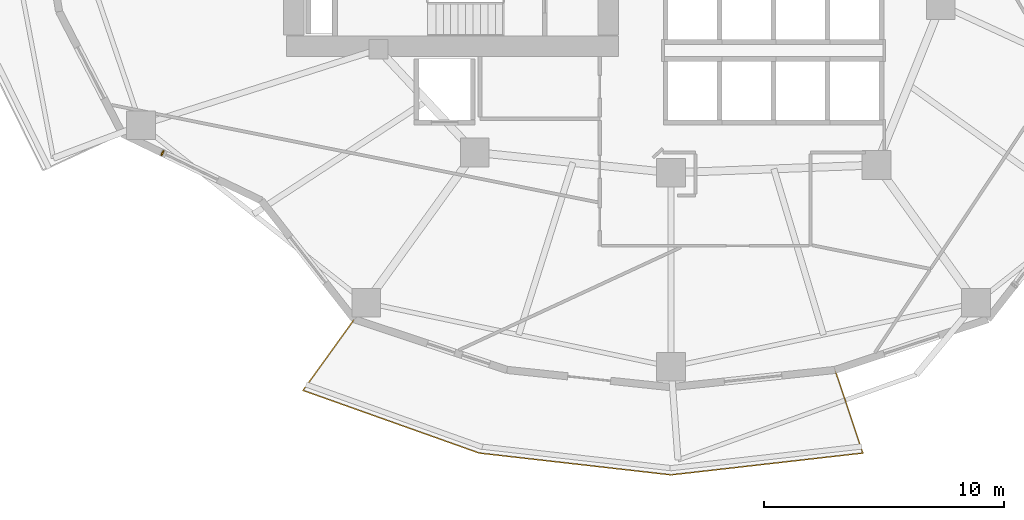
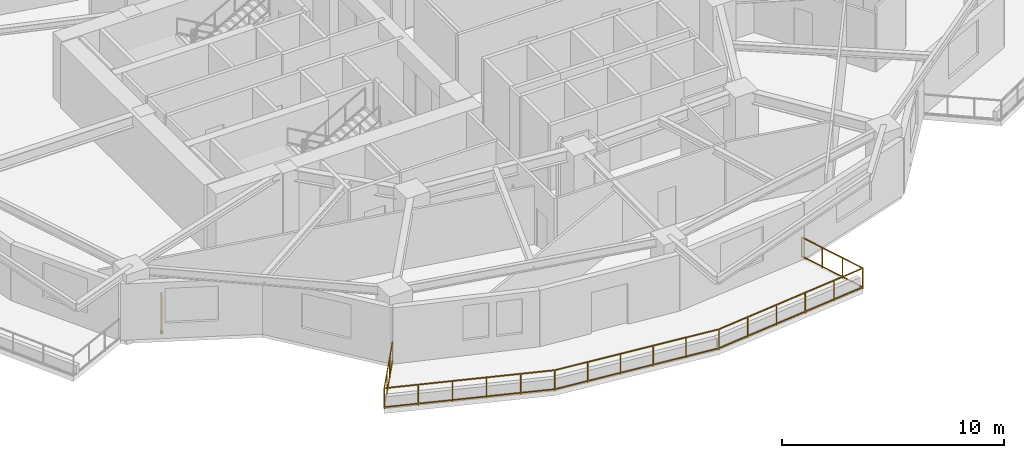
# One storey, part 10 of 14: 1 railing, 1 shading device.
"""IFC4 building model written with IfcOpenShell, lengths in metres."""

from ifc_helpers import new_model, si_unit, direction, frame, origin, origin_2d, place, context, subcontext, project, spatial, rectangle, extrude, material, type_object, element, save


model = new_model("IFC4")

# Units and contexts
model_context = context("Model", 3, precision=1e-05, world=origin(), true_north=direction((0.0, 1.0)))
body_context = subcontext(model_context, "Body", "Model", "MODEL_VIEW")
ifc_project = project(units=[si_unit("LENGTHUNIT", "METRE"), si_unit("AREAUNIT", "SQUARE_METRE"), si_unit("VOLUMEUNIT", "CUBIC_METRE"), si_unit("PLANEANGLEUNIT", "RADIAN"), si_unit("MASSUNIT", "GRAM", prefix="KILO")], contexts=[model_context])

# Site, building, storey
site_placement = place(None, origin())
site = spatial("IfcSite", under=ifc_project, at=site_placement, CompositionType="ELEMENT")
building_placement = place(site_placement, origin())
building = spatial("IfcBuilding", under=site, at=building_placement, Name="Kolvaren Gate Tower and Convention Centre", CompositionType="ELEMENT")
storey_placement = place(building_placement, frame((0.0, 0.0, 57.300048828125)))
storey = spatial("IfcBuildingStorey", under=building, at=storey_placement, Name="L13", CompositionType="ELEMENT", Elevation=57.300048828125)

# Railing
ifc_material_1 = material(Name="Brushed Stainless Steel Grade 316L", Category="steel")
railing_type = type_object("IfcRailingType", Name="ARCH-RL-GUARD-1150", PredefinedType="GUARDRAIL", material=ifc_material_1)
railing_placement = place(storey_placement, frame((16.90625, 8.68359375, 0.0)))
element("IfcRailing", 1, at=railing_placement, inside=storey, type_object=railing_type, Name="Tower L13 Terrace Perimeter Guardrail GR-3", PredefinedType="GUARDRAIL", context=body_context, shape_type="SweptSolid", body=[
    extrude(rectangle(XDim=0.048095703125, YDim=0.048095703125, at=origin_2d()), frame((-0.016357421875, -0.022705078125, 1.1259765625), z_axis=(-0.585212870465, -0.810879705161, 0.0), x_axis=(0.810879705161, -0.585212870465, 0.0)), (0.0, 0.0, 1.0), 3.603759765625),
    extrude(rectangle(XDim=0.048095703125, YDim=0.048095703125, at=origin_2d()), frame((-0.016357421875, -0.022705078125, 0.083984375), z_axis=(-0.585212870465, -0.810879705161, 0.0), x_axis=(0.810879705161, -0.585212870465, 0.0)), (0.0, 0.0, 1.0), 3.603759765625),
    extrude(rectangle(XDim=0.048095703125, YDim=0.048095703125, at=origin_2d()), frame((-2.115478515625, -2.97705078125, 1.1259765625), z_axis=(0.942200211781, -0.335050385643, 0.0), x_axis=(0.335050385643, 0.942200211781, 0.0)), (0.0, 0.0, 1.0), 7.7509765625),
    extrude(rectangle(XDim=0.048095703125, YDim=0.048095703125, at=origin_2d()), frame((-2.115478515625, -2.97705078125, 0.083984375), z_axis=(0.942200211781, -0.335050385643, 0.0), x_axis=(0.335050385643, 0.942200211781, 0.0)), (0.0, 0.0, 1.0), 7.7509765625),
    extrude(rectangle(XDim=0.048095703125, YDim=0.048095703125, at=origin_2d()), frame((5.24169921875, -5.586669921875, 1.1259765625), z_axis=(0.993598144351, -0.112972242349, 0.0), x_axis=(0.112972242349, 0.993598144351, 0.0)), (0.0, 0.0, 1.0), 8.000244140625),
    extrude(rectangle(XDim=0.048095703125, YDim=0.048095703125, at=origin_2d()), frame((5.24169921875, -5.586669921875, 0.083984375), z_axis=(0.993598144351, -0.112972242349, 0.0), x_axis=(0.112972242349, 0.993598144351, 0.0)), (0.0, 0.0, 1.0), 8.000244140625),
    extrude(rectangle(XDim=0.048095703125, YDim=0.048095703125, at=origin_2d()), frame((13.24658203125, -6.490478515625, 1.1259765625), z_axis=(0.993598144351, 0.112972242349, 0.0), x_axis=(-0.112972242349, 0.993598144351, 0.0)), (0.0, 0.0, 1.0), 8.000244140625),
    extrude(rectangle(XDim=0.048095703125, YDim=0.048095703125, at=origin_2d()), frame((13.24658203125, -6.490478515625, 0.083984375), z_axis=(0.993598144351, 0.112972242349, 0.0), x_axis=(-0.112972242349, 0.993598144351, 0.0)), (0.0, 0.0, 1.0), 8.000244140625),
    extrude(rectangle(XDim=0.048095703125, YDim=0.048095703125, at=origin_2d()), frame((21.21484375, -5.556884765625, 1.1259765625), z_axis=(-0.317568160167, 0.94823544737, 0.0), x_axis=(-0.94823544737, -0.317568160167, 0.0)), (0.0, 0.0, 1.0), 3.60400390625),
    extrude(rectangle(XDim=0.048095703125, YDim=0.048095703125, at=origin_2d()), frame((21.21484375, -5.556884765625, 0.083984375), z_axis=(-0.317568160167, 0.94823544737, 0.0), x_axis=(-0.94823544737, -0.317568160167, 0.0)), (0.0, 0.0, 1.0), 3.60400390625),
    extrude(rectangle(XDim=0.0419921875, YDim=0.0419921875, at=origin_2d()), origin(), (0.0, 0.0, 1.0), 1.14990234375),
    extrude(rectangle(XDim=0.0419921875, YDim=0.0419921875, at=origin_2d()), frame((-2.141845703125, -2.9677734375, 0.0)), (0.0, 0.0, 1.0), 1.14990234375),
    extrude(rectangle(XDim=0.0419921875, YDim=0.0419921875, at=origin_2d()), frame((-0.7138671875, -0.9892578125, 0.0)), (0.0, 0.0, 1.0), 1.099853515625),
    extrude(rectangle(XDim=0.0419921875, YDim=0.0419921875, at=origin_2d()), frame((-1.427978515625, -1.978515625, 0.0)), (0.0, 0.0, 1.0), 1.099853515625),
    extrude(rectangle(XDim=0.0419921875, YDim=0.0419921875, at=origin_2d()), frame((5.2138671875, -5.58349609375, 0.0)), (0.0, 0.0, 1.0), 1.14990234375),
    extrude(rectangle(XDim=0.0419921875, YDim=0.0419921875, at=origin_2d()), frame((-0.670654296875, -3.490966796875, 0.0)), (0.0, 0.0, 1.0), 1.099853515625),
    extrude(rectangle(XDim=0.0419921875, YDim=0.0419921875, at=origin_2d()), frame((0.800537109375, -4.01416015625, 0.0)), (0.0, 0.0, 1.0), 1.099853515625),
    extrude(rectangle(XDim=0.0419921875, YDim=0.0419921875, at=origin_2d()), frame((2.271484375, -4.537109375, 0.0)), (0.0, 0.0, 1.0), 1.099853515625),
    extrude(rectangle(XDim=0.0419921875, YDim=0.0419921875, at=origin_2d()), frame((3.74267578125, -5.060302734375, 0.0)), (0.0, 0.0, 1.0), 1.099853515625),
    extrude(rectangle(XDim=0.0419921875, YDim=0.0419921875, at=origin_2d()), frame((13.21875, -6.49365234375, 0.0)), (0.0, 0.0, 1.0), 1.14990234375),
    extrude(rectangle(XDim=0.0419921875, YDim=0.0419921875, at=origin_2d()), frame((6.81494140625, -5.765625, 0.0)), (0.0, 0.0, 1.0), 1.099853515625),
    extrude(rectangle(XDim=0.0419921875, YDim=0.0419921875, at=origin_2d()), frame((8.415771484375, -5.947509765625, 0.0)), (0.0, 0.0, 1.0), 1.099853515625),
    extrude(rectangle(XDim=0.0419921875, YDim=0.0419921875, at=origin_2d()), frame((10.016845703125, -6.129638671875, 0.0)), (0.0, 0.0, 1.0), 1.099853515625),
    extrude(rectangle(XDim=0.0419921875, YDim=0.0419921875, at=origin_2d()), frame((11.61767578125, -6.3115234375, 0.0)), (0.0, 0.0, 1.0), 1.099853515625),
    extrude(rectangle(XDim=0.0419921875, YDim=0.0419921875, at=origin_2d()), frame((21.2236328125, -5.58349609375, 0.0)), (0.0, 0.0, 1.0), 1.14990234375),
    extrude(rectangle(XDim=0.0419921875, YDim=0.0419921875, at=origin_2d()), frame((14.81982421875, -6.3115234375, 0.0)), (0.0, 0.0, 1.0), 1.099853515625),
    extrude(rectangle(XDim=0.0419921875, YDim=0.0419921875, at=origin_2d()), frame((16.420654296875, -6.129638671875, 0.0)), (0.0, 0.0, 1.0), 1.099853515625),
    extrude(rectangle(XDim=0.0419921875, YDim=0.0419921875, at=origin_2d()), frame((18.021728515625, -5.947509765625, 0.0)), (0.0, 0.0, 1.0), 1.099853515625),
    extrude(rectangle(XDim=0.0419921875, YDim=0.0419921875, at=origin_2d()), frame((19.62255859375, -5.765625, 0.0)), (0.0, 0.0, 1.0), 1.099853515625),
    extrude(rectangle(XDim=0.0419921875, YDim=0.0419921875, at=origin_2d()), frame((20.061279296875, -2.11279296875, 0.0)), (0.0, 0.0, 1.0), 1.14990234375),
    extrude(rectangle(XDim=0.0419921875, YDim=0.0419921875, at=origin_2d()), frame((20.836181640625, -4.426513671875, 0.0)), (0.0, 0.0, 1.0), 1.099853515625),
    extrude(rectangle(XDim=0.0419921875, YDim=0.0419921875, at=origin_2d()), frame((20.44873046875, -3.269775390625, 0.0)), (0.0, 0.0, 1.0), 1.099853515625),
])

# Shading device
ifc_material_2 = material(Name="Kiln-Fired Bogota Terracotta Ceramic Louvre Profile", Category="masonry")
shading_device_type = type_object("IfcShadingDeviceType", Name="ARCH-SHD-FIN-180", PredefinedType="JALOUSIE", material=ifc_material_2)
shading_device_placement = place(storey_placement, frame((8.901611328125, 15.62158203125, 0.219970703125), z_axis=(0.0, 0.0, 1.0), x_axis=(0.901357634097, -0.433075530889, 0.0)))
element("IfcShadingDevice", 2, at=shading_device_placement, inside=storey, type_object=shading_device_type, Name="Ceramic Vertical Brise-Soleil Fin FN-L13-14", PredefinedType="JALOUSIE", context=body_context, shape_type="SweptSolid", body=[
    extrude(rectangle(XDim=0.06005859375, YDim=0.239990234375, at=origin_2d()), origin(), (0.0, 0.0, 1.0), 2.14990234375),
])

save(model, "model.ifc")
